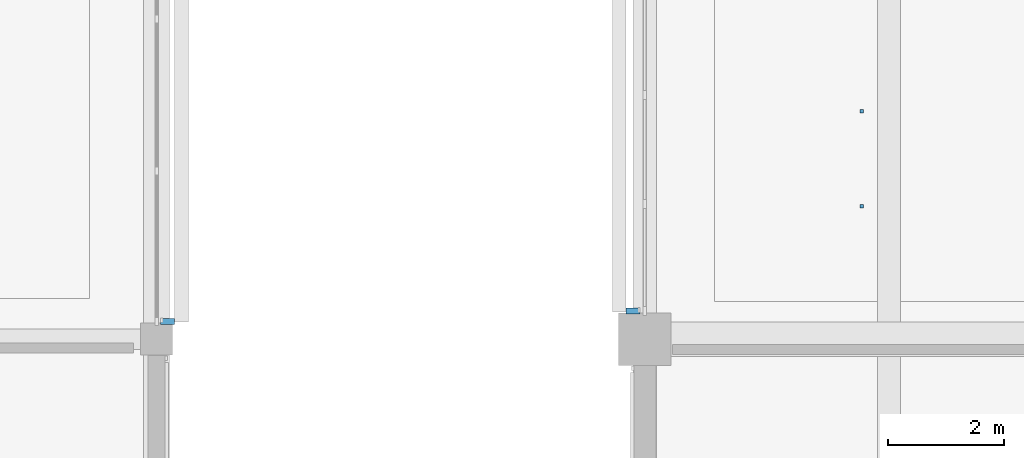
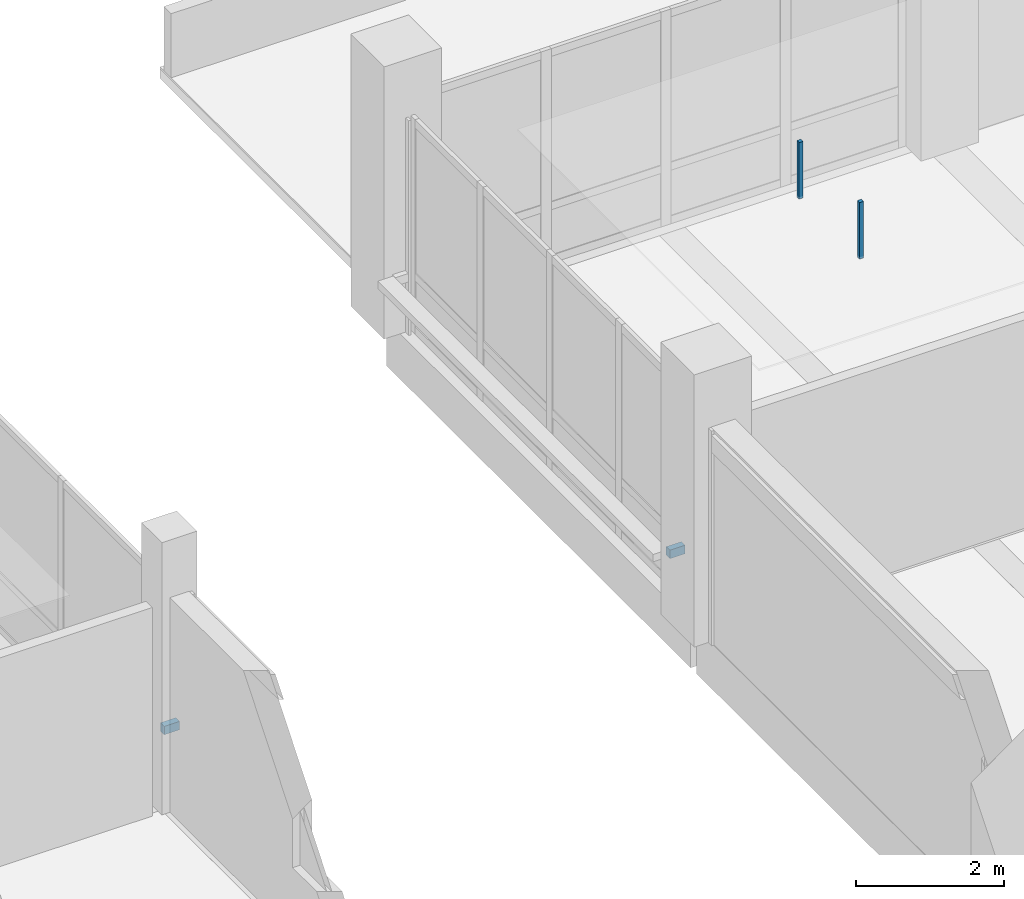
# One storey, part 27 of 59: 4 discrete accessories.
"""IFC4 building model written with IfcOpenShell, lengths in metres."""

from ifc_helpers import new_model, si_unit, direction, frame, origin, origin_2d, place, context, subcontext, project, spatial, rectangle, extrude, material, type_object, element, save


model = new_model("IFC4")

# Units and contexts
model_context = context("Model", 3, precision=1e-05, world=origin(), true_north=direction((0.0, 1.0)))
body_context = subcontext(model_context, "Body", "Model", "MODEL_VIEW")
ifc_project = project(units=[si_unit("LENGTHUNIT", "METRE"), si_unit("AREAUNIT", "SQUARE_METRE"), si_unit("VOLUMEUNIT", "CUBIC_METRE"), si_unit("PLANEANGLEUNIT", "RADIAN"), si_unit("MASSUNIT", "GRAM", prefix="KILO")], contexts=[model_context])

# Site, building, storey
site_placement = place(None, origin())
site = spatial("IfcSite", under=ifc_project, at=site_placement, CompositionType="ELEMENT")
building_placement = place(site_placement, origin())
building = spatial("IfcBuilding", under=site, at=building_placement, Name="Telukmera Botanical Conservatory", CompositionType="ELEMENT")
storey_placement = place(building_placement, frame((0.0, 0.0, 15.0)))
storey = spatial("IfcBuildingStorey", under=building, at=storey_placement, Name="L03", CompositionType="ELEMENT", Elevation=15.0)

# Discrete accessories
ifc_material = material(Name="Steel S355", Category="steel")
discrete_accessory_type_1 = type_object("IfcDiscreteAccessoryType", Name="ACC-CEIL-HGR", PredefinedType="BRACKET", material=ifc_material)
for number, where, z_axis, x_axis, name in (
    (1, (54.1298828125, 36.6875, 3.320068359375), (0.0, 0.0, 1.0), (1.0, 0.0, 0.0), "L03 Suspended Ceiling Hanger Rod 043-1"),
    (2, (54.1298828125, 38.324951171875, 3.320068359375), (0.0, 0.0, 1.0), (1.0, 0.0, 0.0), "L03 Suspended Ceiling Hanger Rod 043-2"),
):
    element("IfcDiscreteAccessory", number, at=place(storey_placement, frame(where, z_axis=z_axis, x_axis=x_axis)), inside=storey, type_object=discrete_accessory_type_1, Name=name, PredefinedType="BRACKET", context=body_context, shape_type="SweptSolid", body=[
        extrude(rectangle(XDim=0.06005859375, YDim=0.06005859375, at=origin_2d()), origin(), (0.0, 0.0, 1.0), 0.93505859375),
    ])
discrete_accessory_type_2 = type_object("IfcDiscreteAccessoryType", Name="Structural Steel Facade Outrigger Fin Bracket", PredefinedType="BRACKET", material=ifc_material)
for number, where, z_axis, x_axis, name in (
    (3, (42.18994140625, 34.70703125, 0.8798828125), (0.0, 0.0, 1.0), (0.0, 1.0, 0.0), "Facade Outrigger Bracket V3:L03:E2 A"),
    (4, (50.199951171875, 34.884521484375, 0.8798828125), (0.0, 0.0, 1.0), (0.0, 1.0, 0.0), "Facade Outrigger Bracket V4:L03:W4 A"),
):
    element("IfcDiscreteAccessory", number, at=place(storey_placement, frame(where, z_axis=z_axis, x_axis=x_axis)), inside=storey, type_object=discrete_accessory_type_2, Name=name, PredefinedType="BRACKET", context=body_context, shape_type="SweptSolid", body=[
        extrude(rectangle(XDim=0.10009765625, YDim=0.239990234375, at=origin_2d()), origin(), (0.0, 0.0, 1.0), 0.139892578125),
    ])

save(model, "model.ifc")
